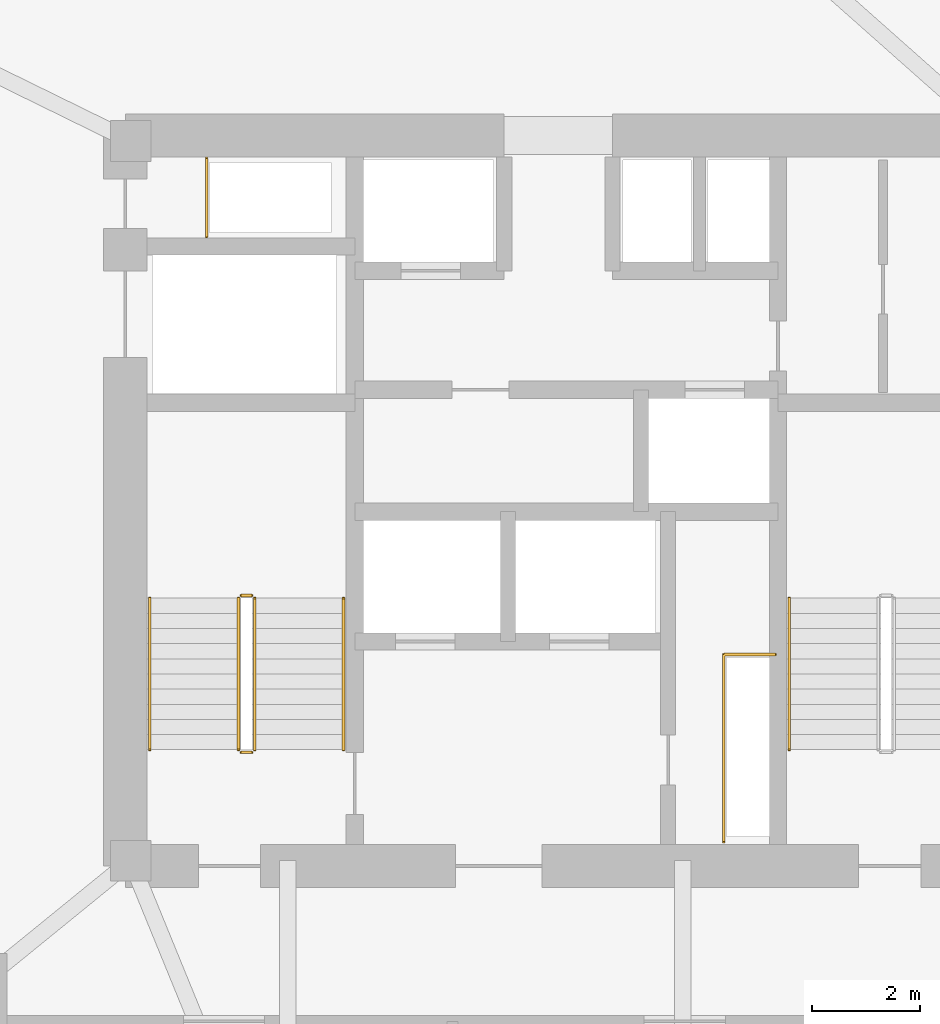
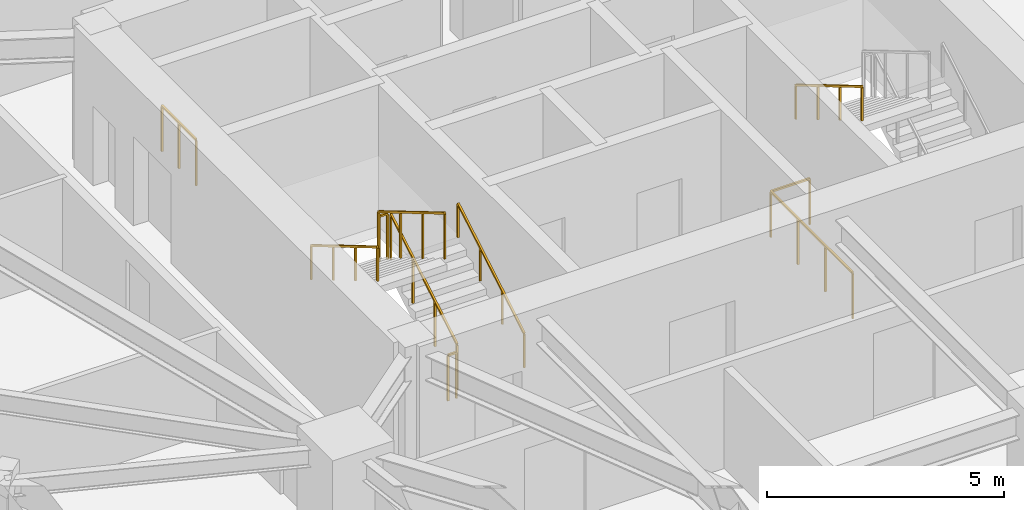
# One storey, part 10 of 12: 9 railings.
"""IFC4 building model written with IfcOpenShell, lengths in metres."""

from ifc_helpers import new_model, si_unit, direction, frame, origin, origin_2d, place, context, subcontext, project, spatial, rectangle, extrude, material, type_object, element, save


model = new_model("IFC4")

# Units and contexts
model_context = context("Model", 3, precision=1e-05, world=origin(), true_north=direction((0.0, 1.0)))
body_context = subcontext(model_context, "Body", "Model", "MODEL_VIEW")
ifc_project = project(units=[si_unit("LENGTHUNIT", "METRE"), si_unit("AREAUNIT", "SQUARE_METRE"), si_unit("VOLUMEUNIT", "CUBIC_METRE"), si_unit("PLANEANGLEUNIT", "RADIAN"), si_unit("MASSUNIT", "GRAM", prefix="KILO")], contexts=[model_context])

# Site, building, storey
site_placement = place(None, origin())
site = spatial("IfcSite", under=ifc_project, at=site_placement, CompositionType="ELEMENT")
building_placement = place(site_placement, origin())
building = spatial("IfcBuilding", under=site, at=building_placement, Name="Talyreon Biosciences Tower", CompositionType="ELEMENT")
storey_placement = place(building_placement, frame((0.0, 0.0, 156.39990234375)))
storey = spatial("IfcBuildingStorey", under=building, at=storey_placement, Name="L41", CompositionType="ELEMENT", Elevation=156.39990234375)

# Railings
ifc_material_1 = material(Name="Brushed stainless-steel tubular handrail", Category="steel")
railing_type_1 = type_object("IfcRailingType", Name="StairWallHandrail_900", PredefinedType="HANDRAIL", material=ifc_material_1)
railing_1_placement = place(storey_placement, frame((61.8798828125, 63.39990234375, 0.166015625)))
element("IfcRailing", 1, at=railing_1_placement, inside=storey, type_object=railing_type_1, Name="L41 ST-1 stair handrail 1", PredefinedType="HANDRAIL", context=body_context, shape_type="SweptSolid", body=[
    extrude(rectangle(XDim=0.048095703125, YDim=0.048095703125, at=origin_2d()), frame((0.0, 0.0, 0.8759765625), z_axis=(0.0, 0.860306154799, 0.50977771628), x_axis=(-1.0, 0.0, 0.0)), (0.0, 0.0, 1.0), 3.254638671875),
    extrude(rectangle(XDim=0.0419921875, YDim=0.0419921875, at=origin_2d()), origin(), (0.0, 0.0, 1.0), 0.851806640625),
    extrude(rectangle(XDim=0.0419921875, YDim=0.0419921875, at=origin_2d()), frame((0.0, 0.933349609375, 0.552978515625)), (0.0, 0.0, 1.0), 0.851806640625),
    extrude(rectangle(XDim=0.0419921875, YDim=0.0419921875, at=origin_2d()), frame((0.0, 1.86669921875, 1.106201171875)), (0.0, 0.0, 1.0), 0.851806640625),
    extrude(rectangle(XDim=0.0419921875, YDim=0.0419921875, at=origin_2d()), frame((0.0, 2.800048828125, 1.6591796875)), (0.0, 0.0, 1.0), 0.851806640625),
])
for number, where, name in (
    (2, (58.300048828125, 66.199951171875, 1.990966796875), "L41 ST-1 stair handrail 2"),
    (3, (70.1201171875, 66.199951171875, 1.990966796875), "L41 ST-2 stair handrail 2"),
):
    element("IfcRailing", number, at=place(storey_placement, frame(where)), inside=storey, type_object=railing_type_1, Name=name, PredefinedType="HANDRAIL", context=body_context, shape_type="SweptSolid", body=[
        extrude(rectangle(XDim=0.048095703125, YDim=0.048095703125, at=origin_2d()), frame((0.0, 0.0, 0.8759765625), z_axis=(0.0, -0.860306154799, 0.50977771628), x_axis=(1.0, 0.0, 0.0)), (0.0, 0.0, 1.0), 3.254638671875),
        extrude(rectangle(XDim=0.0419921875, YDim=0.0419921875, at=origin_2d()), origin(), (0.0, 0.0, 1.0), 0.851806640625),
        extrude(rectangle(XDim=0.0419921875, YDim=0.0419921875, at=origin_2d()), frame((0.0, -0.933349609375, 0.552978515625)), (0.0, 0.0, 1.0), 0.851806640625),
        extrude(rectangle(XDim=0.0419921875, YDim=0.0419921875, at=origin_2d()), frame((0.0, -1.86669921875, 1.106201171875)), (0.0, 0.0, 1.0), 0.851806640625),
        extrude(rectangle(XDim=0.0419921875, YDim=0.0419921875, at=origin_2d()), frame((0.0, -2.800048828125, 1.6591796875)), (0.0, 0.0, 1.0), 0.851806640625),
    ])
ifc_material_2 = material(Name="Painted galvanised steel post-and-rail balustrade", Category="steel")
railing_type_2 = type_object("IfcRailingType", Name="TerraceStairGuard_1200", PredefinedType="GUARDRAIL", material=ifc_material_2)
railing_2_placement = place(storey_placement, frame((60.239990234375, 63.39990234375, 0.166015625)))
element("IfcRailing", 4, at=railing_2_placement, inside=storey, type_object=railing_type_2, Name="L41 ST-1 stair guard 1", PredefinedType="GUARDRAIL", context=body_context, shape_type="SweptSolid", body=[
    extrude(rectangle(XDim=0.048095703125, YDim=0.048095703125, at=origin_2d()), frame((0.0, 0.0, 1.17578125), z_axis=(0.0, 0.860306154799, 0.50977771628), x_axis=(-1.0, 0.0, 0.0)), (0.0, 0.0, 1.0), 3.254638671875),
    extrude(rectangle(XDim=0.0419921875, YDim=0.0419921875, at=origin_2d()), origin(), (0.0, 0.0, 1.0), 1.15185546875),
    extrude(rectangle(XDim=0.0419921875, YDim=0.0419921875, at=origin_2d()), frame((0.0, 0.933349609375, 0.552978515625)), (0.0, 0.0, 1.0), 1.15185546875),
    extrude(rectangle(XDim=0.0419921875, YDim=0.0419921875, at=origin_2d()), frame((0.0, 1.86669921875, 1.106201171875)), (0.0, 0.0, 1.0), 1.15185546875),
    extrude(rectangle(XDim=0.0419921875, YDim=0.0419921875, at=origin_2d()), frame((0.0, 2.800048828125, 1.6591796875)), (0.0, 0.0, 1.0), 1.15185546875),
])
railing_3_placement = place(storey_placement, frame((60.18994140625, 66.25, 1.8251953125)))
element("IfcRailing", 5, at=railing_3_placement, inside=storey, type_object=railing_type_2, Name="L41 ST-1 stair guard 2", PredefinedType="GUARDRAIL", context=body_context, shape_type="SweptSolid", body=[
    extrude(rectangle(XDim=0.048095703125, YDim=0.048095703125, at=origin_2d()), frame((0.0, 0.0, 1.17578125), z_axis=(-1.0, 0.0, 0.0), x_axis=(0.0, -1.0, 0.0)), (0.0, 0.0, 1.0), 0.199951171875),
    extrude(rectangle(XDim=0.0419921875, YDim=0.0419921875, at=origin_2d()), origin(), (0.0, 0.0, 1.0), 1.15185546875),
    extrude(rectangle(XDim=0.0419921875, YDim=0.0419921875, at=origin_2d()), frame((-0.199951171875, 0.0, 0.0)), (0.0, 0.0, 1.0), 1.15185546875),
])
railing_4_placement = place(storey_placement, frame((59.93994140625, 66.199951171875, 1.990966796875)))
element("IfcRailing", 6, at=railing_4_placement, inside=storey, type_object=railing_type_2, Name="L41 ST-1 stair guard 3", PredefinedType="GUARDRAIL", context=body_context, shape_type="SweptSolid", body=[
    extrude(rectangle(XDim=0.048095703125, YDim=0.048095703125, at=origin_2d()), frame((0.0, 0.0, 1.17578125), z_axis=(0.0, -0.860306154799, 0.50977771628), x_axis=(1.0, 0.0, 0.0)), (0.0, 0.0, 1.0), 3.254638671875),
    extrude(rectangle(XDim=0.0419921875, YDim=0.0419921875, at=origin_2d()), origin(), (0.0, 0.0, 1.0), 1.15185546875),
    extrude(rectangle(XDim=0.0419921875, YDim=0.0419921875, at=origin_2d()), frame((0.0, -0.933349609375, 0.552978515625)), (0.0, 0.0, 1.0), 1.15185546875),
    extrude(rectangle(XDim=0.0419921875, YDim=0.0419921875, at=origin_2d()), frame((0.0, -1.86669921875, 1.106201171875)), (0.0, 0.0, 1.0), 1.15185546875),
    extrude(rectangle(XDim=0.0419921875, YDim=0.0419921875, at=origin_2d()), frame((0.0, -2.800048828125, 1.6591796875)), (0.0, 0.0, 1.0), 1.15185546875),
])
railing_5_placement = place(storey_placement, frame((60.18994140625, 63.35009765625, 0.0)))
element("IfcRailing", 7, at=railing_5_placement, inside=storey, type_object=railing_type_2, Name="L41 ST-1 stair guard 4", PredefinedType="GUARDRAIL", context=body_context, shape_type="SweptSolid", body=[
    extrude(rectangle(XDim=0.048095703125, YDim=0.048095703125, at=origin_2d()), frame((0.0, 0.0, 1.17578125), z_axis=(-1.0, 0.0, 0.0), x_axis=(0.0, -1.0, 0.0)), (0.0, 0.0, 1.0), 0.199951171875),
    extrude(rectangle(XDim=0.0419921875, YDim=0.0419921875, at=origin_2d()), origin(), (0.0, 0.0, 1.0), 1.15185546875),
    extrude(rectangle(XDim=0.0419921875, YDim=0.0419921875, at=origin_2d()), frame((-0.199951171875, 0.0, 0.0)), (0.0, 0.0, 1.0), 1.15185546875),
])
railing_6_placement = place(storey_placement, frame((59.35009765625, 72.8798828125, 0.0)))
element("IfcRailing", 8, at=railing_6_placement, inside=storey, type_object=railing_type_2, Name="L41 Exhaust Riser Maintenance Guardrail", PredefinedType="GUARDRAIL", context=body_context, shape_type="SweptSolid", body=[
    extrude(rectangle(XDim=0.048095703125, YDim=0.048095703125, at=origin_2d()), frame((0.0, 0.0, 1.17578125), z_axis=(0.0, 1.0, 0.0), x_axis=(-1.0, 0.0, 0.0)), (0.0, 0.0, 1.0), 1.4501953125),
    extrude(rectangle(XDim=0.0419921875, YDim=0.0419921875, at=origin_2d()), origin(), (0.0, 0.0, 1.0), 1.15185546875),
    extrude(rectangle(XDim=0.0419921875, YDim=0.0419921875, at=origin_2d()), frame((0.0, 0.72509765625, 0.0)), (0.0, 0.0, 1.0), 1.15185546875),
    extrude(rectangle(XDim=0.0419921875, YDim=0.0419921875, at=origin_2d()), frame((0.0, 1.4501953125, 0.0)), (0.0, 0.0, 1.0), 1.15185546875),
])
railing_7_placement = place(storey_placement, frame((68.909912109375, 61.699951171875, 0.0)))
element("IfcRailing", 9, at=railing_7_placement, inside=storey, type_object=railing_type_2, Name="L41 Electrical Riser Maintenance Guardrail", PredefinedType="GUARDRAIL", context=body_context, shape_type="SweptSolid", body=[
    extrude(rectangle(XDim=0.048095703125, YDim=0.048095703125, at=origin_2d()), frame((0.0, 0.0, 1.17578125), z_axis=(0.0, 1.0, 0.0), x_axis=(-1.0, 0.0, 0.0)), (0.0, 0.0, 1.0), 3.4599609375),
    extrude(rectangle(XDim=0.048095703125, YDim=0.048095703125, at=origin_2d()), frame((0.0, 3.4599609375, 1.17578125), z_axis=(1.0, 0.0, 0.0), x_axis=(0.0, 1.0, 0.0)), (0.0, 0.0, 1.0), 0.9501953125),
    extrude(rectangle(XDim=0.0419921875, YDim=0.0419921875, at=origin_2d()), origin(), (0.0, 0.0, 1.0), 1.15185546875),
    extrude(rectangle(XDim=0.0419921875, YDim=0.0419921875, at=origin_2d()), frame((0.0, 1.1533203125, 0.0)), (0.0, 0.0, 1.0), 1.15185546875),
    extrude(rectangle(XDim=0.0419921875, YDim=0.0419921875, at=origin_2d()), frame((0.0, 2.306640625, 0.0)), (0.0, 0.0, 1.0), 1.15185546875),
    extrude(rectangle(XDim=0.0419921875, YDim=0.0419921875, at=origin_2d()), frame((0.0, 3.4599609375, 0.0)), (0.0, 0.0, 1.0), 1.15185546875),
    extrude(rectangle(XDim=0.0419921875, YDim=0.0419921875, at=origin_2d()), frame((0.9501953125, 3.4599609375, 0.0)), (0.0, 0.0, 1.0), 1.15185546875),
])

save(model, "model.ifc")
